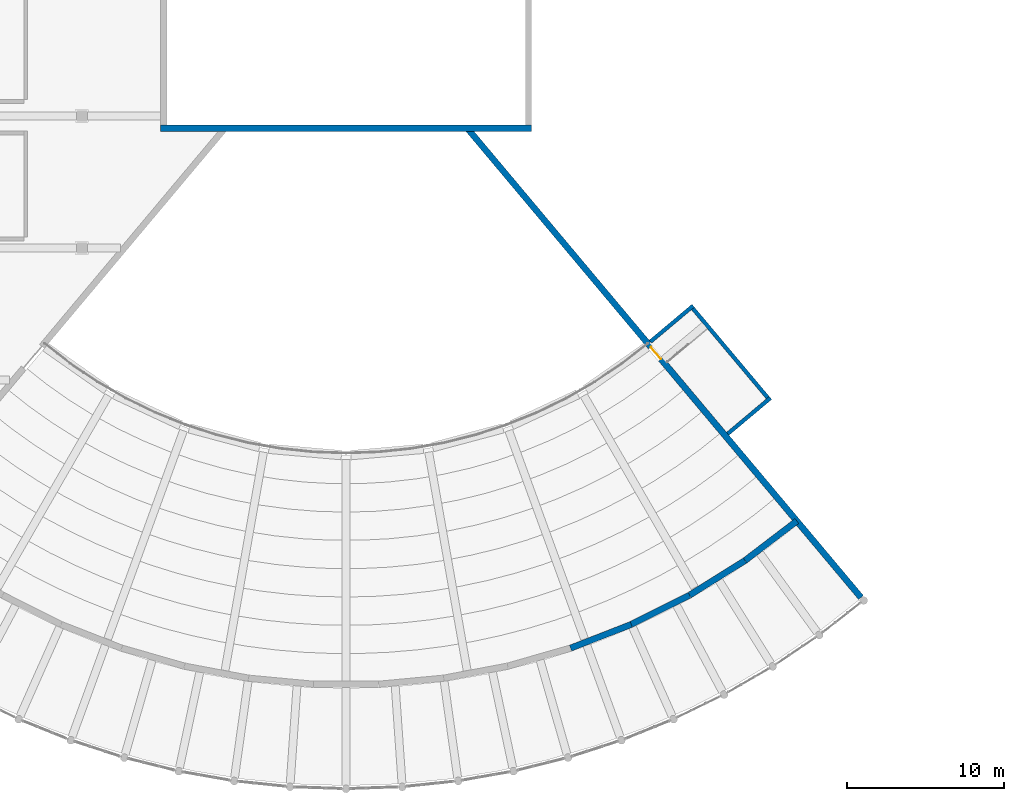
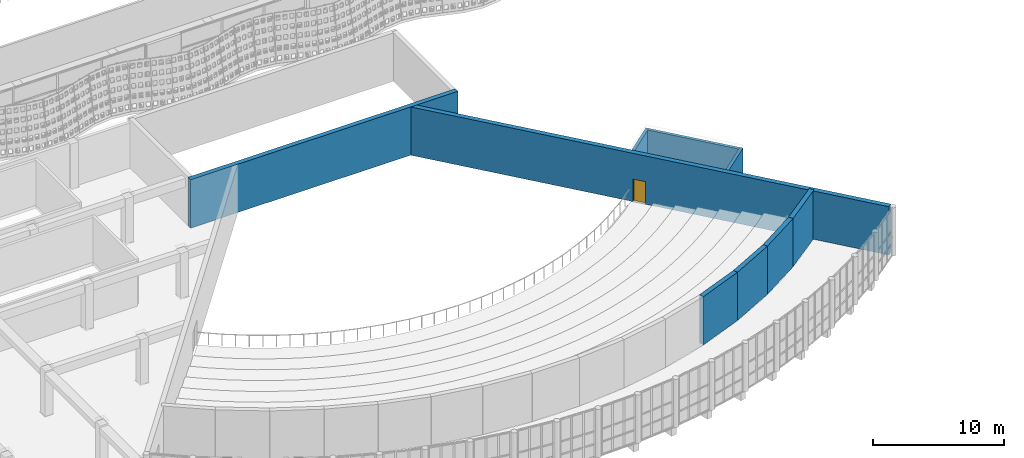
# One storey, part 86 of 162: 9 walls, 1 door, 1 opening.
"""IFC4 building model written with IfcOpenShell, lengths in metres."""

from ifc_helpers import new_model, si_unit, direction, frame, frame_2d, origin, place, context, subcontext, project, spatial, rectangle, extrude, material, layer, layer_set, type_object, element, fill, save


model = new_model("IFC4")

# Units and contexts
model_context = context("Model", 3, precision=1e-05, world=origin(), true_north=direction((0.0, 1.0)))
body_context = subcontext(model_context, "Body", "Model", "MODEL_VIEW")
ifc_project = project(units=[si_unit("LENGTHUNIT", "METRE"), si_unit("AREAUNIT", "SQUARE_METRE"), si_unit("VOLUMEUNIT", "CUBIC_METRE"), si_unit("PLANEANGLEUNIT", "RADIAN"), si_unit("MASSUNIT", "GRAM", prefix="KILO")], contexts=[model_context])

# Site, building, storey
site_placement = place(None, origin())
site = spatial("IfcSite", under=ifc_project, at=site_placement, CompositionType="ELEMENT")
building_placement = place(site_placement, origin())
building = spatial("IfcBuilding", under=site, at=building_placement, Name="Rain Tree Exposition and Congress Centre", CompositionType="ELEMENT")
storey_placement = place(building_placement, frame((0.0, 0.0, 6.0)))
storey = spatial("IfcBuildingStorey", under=building, at=storey_placement, Name="L01", CompositionType="ELEMENT", Elevation=6.0)

# Wall, opening, door
ifc_material_1 = material(Name="Concrete C40/50", Category="concrete")
ifc_layer_1 = layer(ifc_material_1, 0.39990234375)
ifc_layer_set_1 = layer_set([ifc_layer_1], Name="Concrete C40/50")
wall_type_1 = type_object("IfcWallType", Name="Acoustic wall 400", PredefinedType="SHEAR", material=ifc_layer_set_1)
wall_1_placement = place(storey_placement, frame((209.3134765625, 58.007568359375, 0.0), z_axis=(0.0, 0.0, 1.0), x_axis=(0.642785544639, -0.766046175895, 0.0)))
wall_1 = element("IfcWall", 1, at=wall_1_placement, inside=storey, type_object=wall_type_1, Name="Side wall E", PredefinedType="SHEAR", context=body_context, shape_type="SweptSolid", body=[
    extrude(rectangle(XDim=38.9501953125, YDim=0.39990234375, at=frame_2d((19.47509765625, 0.0))), origin(), (0.0, 0.0, 1.0), 4.5),
])
opening_placement = place(wall_1_placement, frame((18.14990234375, 0.0, 0.0)))
opening = element("IfcOpeningElement", 2, at=opening_placement, cuts=wall_1, Name="Opening DG135", PredefinedType="OPENING", context=body_context, shape_type="SweptSolid", body=[
    extrude(rectangle(XDim=1.0, YDim=2.10009765625, at=frame_2d((0.5, 1.050048828125))), frame((0.0, 0.199951171875, 0.0), z_axis=(0.0, -1.0, 0.0), x_axis=(1.0, 0.0, 0.0)), (0.0, 0.0, 1.0), 0.39990234375),
])
ifc_material_2 = material(Name="Steel", Category="steel")
door_type = type_object("IfcDoorType", Name="Fire door 1000x2100 congress", OperationType="NOTDEFINED", PredefinedType="DOOR", material=ifc_material_2)
door_placement = place(opening_placement, origin())
door = element("IfcDoor", 3, at=door_placement, inside=storey, type_object=door_type, Name="DG135", OperationType="SINGLE_SWING_RIGHT", OverallHeight=2.10009765625, OverallWidth=1.0, PredefinedType="DOOR", context=body_context, shape_type="SweptSolid", body=[
    extrude(rectangle(XDim=1.0, YDim=2.10009765625, at=frame_2d((0.5, 1.050048828125))), frame((0.0, 0.02490234375, 0.0), z_axis=(0.0, -1.0, 0.0), x_axis=(1.0, 0.0, 0.0)), (0.0, 0.0, 1.0), 0.050048828125),
])
fill(opening, door)

# Walls
for number, where, z_axis, x_axis, name in (
    (4, (215.874755859375, 24.946044921875, 0.0), (0.0, 0.0, 1.0), (0.931480400258, 0.363791511633, 0.0), "Rear wall 12"),
    (5, (219.740478515625, 26.455810546875, 0.0), (0.0, 0.0, 1.0), (0.893637522773, 0.448789458313, 0.0), "Rear wall 13"),
):
    element("IfcWall", number, at=place(storey_placement, frame(where, z_axis=z_axis, x_axis=x_axis)), inside=storey, type_object=wall_type_1, Name=name, PredefinedType="SHEAR", context=body_context, shape_type="SweptSolid", body=[
        extrude(rectangle(XDim=4.150146484375, YDim=0.39990234375, at=frame_2d((2.0751953125, 0.0))), origin(), (0.0, 0.0, 1.0), 4.5),
    ])
wall_2_placement = place(storey_placement, frame((223.44921875, 28.318359375, 0.0), z_axis=(0.0, 0.0, 1.0), x_axis=(0.848034657637, 0.529940769753, 0.0)))
element("IfcWall", 6, at=wall_2_placement, inside=storey, type_object=wall_type_1, Name="Rear wall 14", PredefinedType="SHEAR", context=body_context, shape_type="SweptSolid", body=[
    extrude(rectangle(XDim=4.14990234375, YDim=0.39990234375, at=frame_2d((2.074951171875, 0.0))), origin(), (0.0, 0.0, 1.0), 4.5),
])
wall_3_placement = place(storey_placement, frame((226.968505859375, 30.517578125, 0.0), z_axis=(0.0, 0.0, 1.0), x_axis=(0.795116964112, 0.60645611002, 0.0)))
element("IfcWall", 7, at=wall_3_placement, inside=storey, type_object=wall_type_1, Name="Rear wall 15", PredefinedType="SHEAR", context=body_context, shape_type="SweptSolid", body=[
    extrude(rectangle(XDim=4.150146484375, YDim=0.39990234375, at=frame_2d((2.0751953125, 0.0))), origin(), (0.0, 0.0, 1.0), 4.5),
])
wall_4_placement = place(storey_placement, frame((189.800048828125, 58.010009765625, 0.0), z_axis=(0.0, 0.0, 1.0), x_axis=(1.0, 0.0, 0.0)))
element("IfcWall", 8, at=wall_4_placement, inside=storey, type_object=wall_type_1, Name="Stage wall", PredefinedType="SHEAR", context=body_context, shape_type="SweptSolid", body=[
    extrude(rectangle(XDim=23.599853515625, YDim=0.39990234375, at=frame_2d((11.7998046875, 0.0))), origin(), (0.0, 0.0, 1.0), 4.5),
])
ifc_material_3 = material(Name="Concrete C40/50", Category="concrete")
ifc_layer_2 = layer(ifc_material_3, 0.25)
ifc_layer_set_2 = layer_set([ifc_layer_2], Name="Concrete C40/50")
wall_type_2 = type_object("IfcWallType", Name="Core wall 250", PredefinedType="SHEAR", material=ifc_layer_set_2)
for number, where, z_axis, x_axis, name in (
    (9, (220.95654296875, 44.443115234375, 0.0), (0.0, 0.0, 1.0), (0.766040775131, 0.642791980999, 0.0), "Stair ST-G2 near wall"),
    (10, (225.873779296875, 38.582763671875, 0.0), (0.0, 0.0, 1.0), (0.766069190366, 0.642758115913, 0.0), "Stair ST-G2 far wall"),
):
    element("IfcWall", number, at=place(storey_placement, frame(where, z_axis=z_axis, x_axis=x_axis)), inside=storey, type_object=wall_type_2, Name=name, PredefinedType="SHEAR", context=body_context, shape_type="SweptSolid", body=[
        extrude(rectangle(XDim=3.5498046875, YDim=0.25, at=frame_2d((1.77490234375, 0.0))), origin(), (0.0, 0.0, 1.0), 4.199951171875),
    ])
wall_5_placement = place(storey_placement, frame((223.660400390625, 46.548828125, 0.0), z_axis=(0.0, 0.0, 1.0), x_axis=(0.642789672733, -0.766042712013, 0.0)))
element("IfcWall", 11, at=wall_5_placement, inside=storey, type_object=wall_type_2, Name="Stair ST-G2 outer wall", PredefinedType="SHEAR", context=body_context, shape_type="SweptSolid", body=[
    extrude(rectangle(XDim=7.400390625, YDim=0.25, at=frame_2d((3.7001953125, 0.0))), origin(), (0.0, 0.0, 1.0), 4.199951171875),
])

save(model, "model.ifc")
